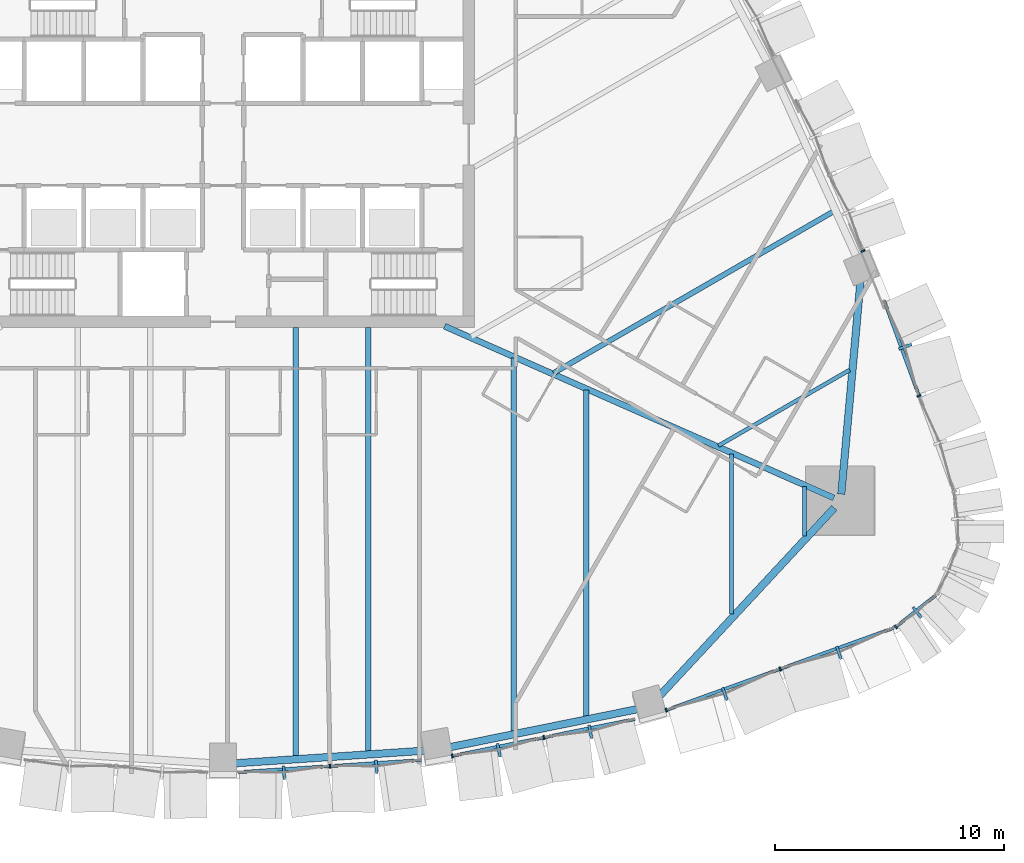
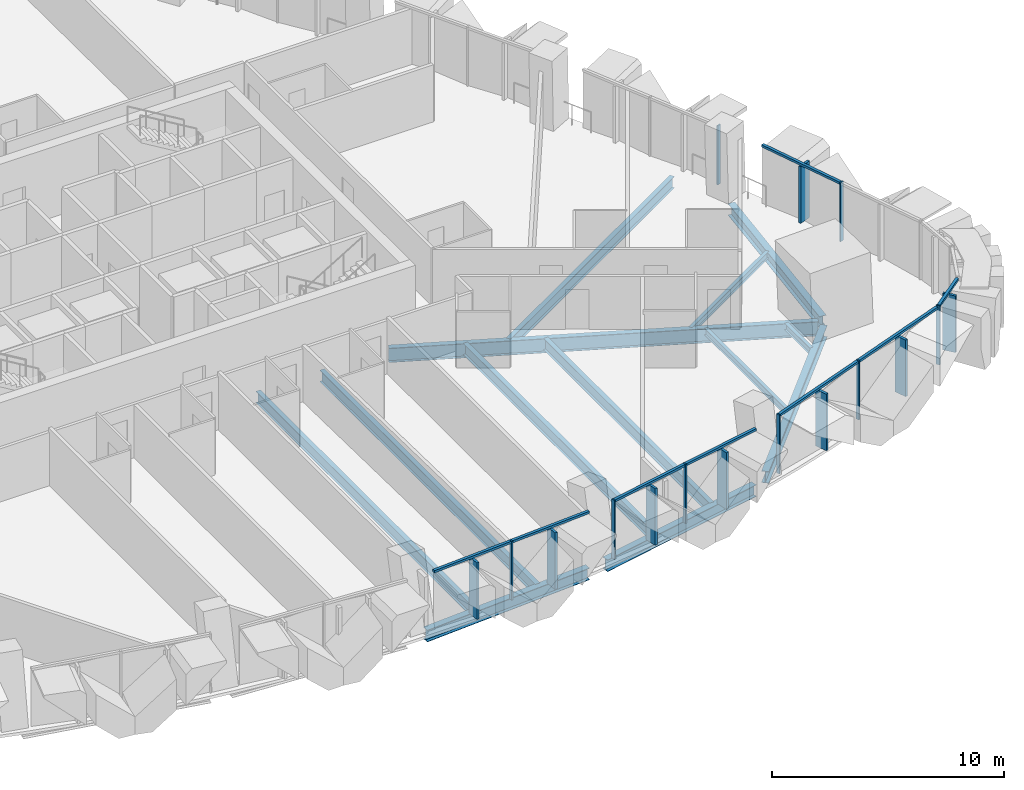
# One storey, part 4 of 24: 24 members, 13 beams, 6 elements without a shape of their own.
"""IFC4 building model written with IfcOpenShell, lengths in metres."""

from ifc_helpers import new_model, si_unit, direction, frame, origin, origin_2d, place, context, subcontext, project, spatial, rectangle, i_section, extrude, material, layer, layer_set, material_profile, profile_set, type_object, element, aggregate, save


model = new_model("IFC4")

# Units and contexts
model_context = context("Model", 3, precision=1e-05, world=origin(), true_north=direction((0.0, 1.0)))
body_context = subcontext(model_context, "Body", "Model", "MODEL_VIEW")
ifc_project = project(units=[si_unit("LENGTHUNIT", "METRE"), si_unit("AREAUNIT", "SQUARE_METRE"), si_unit("VOLUMEUNIT", "CUBIC_METRE"), si_unit("PLANEANGLEUNIT", "RADIAN"), si_unit("MASSUNIT", "GRAM", prefix="KILO")], contexts=[model_context])

# Site, building, storey
site_placement = place(None, origin())
site = spatial("IfcSite", under=ifc_project, at=site_placement, CompositionType="ELEMENT")
building_placement = place(site_placement, origin())
building = spatial("IfcBuilding", under=site, at=building_placement, Name="Sierra Prisma Convention Tower", CompositionType="ELEMENT")
storey_placement = place(building_placement, frame((0.0, 0.0, 55.39990234375)))
storey = spatial("IfcBuildingStorey", under=building, at=storey_placement, Name="L09", CompositionType="ELEMENT", Elevation=55.39990234375)

# Curtain wall, members
ifc_material_1 = material(Name="Aluminium and glass curtain wall", Category="aluminium")
ifc_layer = layer(ifc_material_1, 0.179931640625)
ifc_layer_set = layer_set([ifc_layer], Name="CW-2 Faceted crystal curtain wall")
curtain_wall_type = type_object("IfcCurtainWallType", Name="CW-2 Faceted crystal curtain wall", PredefinedType="NOTDEFINED", material=ifc_layer_set)
curtain_wall_1_placement = place(storey_placement, origin())
curtain_wall_1 = element("IfcCurtainWall", 1, at=curtain_wall_1_placement, inside=storey, type_object=curtain_wall_type, Name="CW-2 S4 L09", PredefinedType="NOTDEFINED")
ifc_material_2 = material(Name="Aluminium 6063-T6 bronze anodised", Category="aluminium")
ifc_material_profile_1 = material_profile(ifc_material_2, rectangle(XDim=0.1201171875, YDim=0.60009765625, at=origin_2d()), Name="ALU RIDGE BLADE 120x600")
ifc_profile_set_1 = profile_set([ifc_material_profile_1], Name="Aluminium 6063-T6 bronze anodised")
member_type_1 = type_object("IfcMemberType", Name="CW hip bronze", PredefinedType="MULLION", material=ifc_profile_set_1)
member_1_placement = place(storey_placement, frame((2.66455078125, -27.485107421875, 0.0), z_axis=(0.0, 0.0, 1.0), x_axis=(0.99781815917, 0.066022126828, 0.0)))
member_1 = element("IfcMember", 2, at=member_1_placement, type_object=member_type_1, Name="CW-2 ridge S4.1", PredefinedType="MULLION", context=body_context, shape_type="SweptSolid", body=[
    extrude(rectangle(XDim=0.1201171875, YDim=0.60009765625, at=origin_2d()), origin(), (0.0, 0.0, 1.0), 2.97998046875),
])
member_2_placement = place(storey_placement, frame((6.705810546875, -27.2177734375, 0.0), z_axis=(0.0, 0.0, 1.0), x_axis=(0.99781815917, 0.066022126828, 0.0)))
member_2 = element("IfcMember", 3, at=member_2_placement, type_object=member_type_1, Name="CW-2 ridge S4.2", PredefinedType="MULLION", context=body_context, shape_type="SweptSolid", body=[
    extrude(rectangle(XDim=0.1201171875, YDim=0.60009765625, at=origin_2d()), origin(), (0.0, 0.0, 1.0), 2.97998046875),
])

curtain_wall_2_placement = place(storey_placement, origin())
curtain_wall_2 = element("IfcCurtainWall", 4, at=curtain_wall_2_placement, inside=storey, type_object=curtain_wall_type, Name="CW-2 S5 L09", PredefinedType="NOTDEFINED")
member_3_placement = place(storey_placement, frame((12.061279296875, -26.5, 0.0), z_axis=(0.0, 0.0, 1.0), x_axis=(0.980244265586, 0.197790747474, 0.0)))
member_3 = element("IfcMember", 5, at=member_3_placement, type_object=member_type_1, Name="CW-2 ridge S5.1", PredefinedType="MULLION", context=body_context, shape_type="SweptSolid", body=[
    extrude(rectangle(XDim=0.1201171875, YDim=0.60009765625, at=origin_2d()), origin(), (0.0, 0.0, 1.0), 2.97998046875),
])
member_4_placement = place(storey_placement, frame((16.0654296875, -25.69189453125, 0.0), z_axis=(0.0, 0.0, 1.0), x_axis=(0.980244265586, 0.197790747474, 0.0)))
member_4 = element("IfcMember", 6, at=member_4_placement, type_object=member_type_1, Name="CW-2 ridge S5.2", PredefinedType="MULLION", context=body_context, shape_type="SweptSolid", body=[
    extrude(rectangle(XDim=0.1201171875, YDim=0.60009765625, at=origin_2d()), origin(), (0.0, 0.0, 1.0), 2.97998046875),
])

curtain_wall_3_placement = place(storey_placement, origin())
curtain_wall_3 = element("IfcCurtainWall", 7, at=curtain_wall_3_placement, inside=storey, type_object=curtain_wall_type, Name="CW-2 S6 L09", PredefinedType="NOTDEFINED")
member_5_placement = place(storey_placement, frame((21.946533203125, -24.0390625, 0.0), z_axis=(0.0, 0.0, 1.0), x_axis=(0.940537753583, 0.339689172751, 0.0)))
member_5 = element("IfcMember", 8, at=member_5_placement, type_object=member_type_1, Name="CW-2 ridge S6.1", PredefinedType="MULLION", context=body_context, shape_type="SweptSolid", body=[
    extrude(rectangle(XDim=0.1201171875, YDim=0.60009765625, at=origin_2d()), origin(), (0.0, 0.0, 1.0), 2.97998046875),
])
member_6_placement = place(storey_placement, frame((26.93701171875, -22.23681640625, 0.0), z_axis=(0.0, 0.0, 1.0), x_axis=(0.940537753583, 0.339689172751, 0.0)))
member_6 = element("IfcMember", 9, at=member_6_placement, type_object=member_type_1, Name="CW-2 ridge S6.2", PredefinedType="MULLION", context=body_context, shape_type="SweptSolid", body=[
    extrude(rectangle(XDim=0.1201171875, YDim=0.60009765625, at=origin_2d()), origin(), (0.0, 0.0, 1.0), 2.97998046875),
])

# Curtain wall, member
curtain_wall_4_placement = place(storey_placement, origin())
curtain_wall_4 = element("IfcCurtainWall", 10, at=curtain_wall_4_placement, inside=storey, type_object=curtain_wall_type, Name="CW-2 SE1 L09", PredefinedType="NOTDEFINED")
member_7_placement = place(storey_placement, frame((30.3623046875, -20.472900390625, 0.0), z_axis=(0.0, 0.0, 1.0), x_axis=(0.783458733533, 0.621443813108, 0.0)))
member_7 = element("IfcMember", 11, at=member_7_placement, type_object=member_type_1, Name="CW-2 ridge SE1.1", PredefinedType="MULLION", context=body_context, shape_type="SweptSolid", body=[
    extrude(rectangle(XDim=0.1201171875, YDim=0.60009765625, at=origin_2d()), origin(), (0.0, 0.0, 1.0), 2.97998046875),
])

curtain_wall_5_placement = place(storey_placement, origin())
curtain_wall_5 = element("IfcCurtainWall", 12, at=curtain_wall_5_placement, inside=storey, type_object=curtain_wall_type, Name="CW-2 NE1 L09", PredefinedType="NOTDEFINED")
member_8_placement = place(storey_placement, frame((29.838134765625, -8.84814453125, 0.0), z_axis=(0.0, 0.0, 1.0), x_axis=(-0.343705619807, 0.939077444577, 0.0)))
member_8 = element("IfcMember", 13, at=member_8_placement, type_object=member_type_1, Name="CW-2 ridge NE1.2", PredefinedType="MULLION", context=body_context, shape_type="SweptSolid", body=[
    extrude(rectangle(XDim=0.1201171875, YDim=0.60009765625, at=origin_2d()), origin(), (0.0, 0.0, 1.0), 2.97998046875),
])

# Member
ifc_material_3 = material(Name="Aluminium 6063-T6 bronze anodised", Category="aluminium")
ifc_material_profile_2 = material_profile(ifc_material_3, rectangle(XDim=0.179931640625, YDim=0.070068359375, at=origin_2d()), Name="ALU MULLION 70x180")
ifc_profile_set_2 = profile_set([ifc_material_profile_2], Name="Aluminium 6063-T6 bronze anodised")
member_type_2 = type_object("IfcMemberType", Name="CW mullion bronze", PredefinedType="MULLION", material=ifc_profile_set_2)
member_9_placement = place(storey_placement, frame((4.6748046875, -27.1953125, 0.0), z_axis=(0.0, 0.0, 1.0), x_axis=(-0.066022126828, 0.99781815917, 0.0)))
member_9 = element("IfcMember", 14, at=member_9_placement, type_object=member_type_2, Name="CW-1 mullion S4.2", PredefinedType="MULLION", context=body_context, shape_type="SweptSolid", body=[
    extrude(rectangle(XDim=0.179931640625, YDim=0.070068359375, at=origin_2d()), origin(), (0.0, 0.0, 1.0), 3.10009765625),
])

member_10_placement = place(storey_placement, frame((10.028076171875, -26.7490234375, 0.0), z_axis=(0.0, 0.0, 1.0), x_axis=(-0.197790747474, 0.980244265586, 0.0)))
member_10 = element("IfcMember", 15, at=member_10_placement, type_object=member_type_2, Name="CW-1 mullion S5.1", PredefinedType="MULLION", context=body_context, shape_type="SweptSolid", body=[
    extrude(rectangle(XDim=0.179931640625, YDim=0.070068359375, at=origin_2d()), origin(), (0.0, 0.0, 1.0), 3.10009765625),
])

member_11_placement = place(storey_placement, frame((14.0322265625, -25.941162109375, 0.0), z_axis=(0.0, 0.0, 1.0), x_axis=(-0.197790747474, 0.980244265586, 0.0)))
member_11 = element("IfcMember", 16, at=member_11_placement, type_object=member_type_2, Name="CW-1 mullion S5.2", PredefinedType="MULLION", context=body_context, shape_type="SweptSolid", body=[
    extrude(rectangle(XDim=0.179931640625, YDim=0.070068359375, at=origin_2d()), origin(), (0.0, 0.0, 1.0), 3.10009765625),
])

member_12_placement = place(storey_placement, frame((19.38134765625, -24.74658203125, 0.0), z_axis=(0.0, 0.0, 1.0), x_axis=(-0.339689172751, 0.940537753583, 0.0)))
member_12 = element("IfcMember", 17, at=member_12_placement, type_object=member_type_2, Name="CW-1 mullion S6.1", PredefinedType="MULLION", context=body_context, shape_type="SweptSolid", body=[
    extrude(rectangle(XDim=0.179931640625, YDim=0.070068359375, at=origin_2d()), origin(), (0.0, 0.0, 1.0), 3.10009765625),
])

member_13_placement = place(storey_placement, frame((24.371826171875, -22.944091796875, 0.0), z_axis=(0.0, 0.0, 1.0), x_axis=(-0.339689172751, 0.940537753583, 0.0)))
member_13 = element("IfcMember", 18, at=member_13_placement, type_object=member_type_2, Name="CW-1 mullion S6.2", PredefinedType="MULLION", context=body_context, shape_type="SweptSolid", body=[
    extrude(rectangle(XDim=0.179931640625, YDim=0.070068359375, at=origin_2d()), origin(), (0.0, 0.0, 1.0), 3.10009765625),
])

member_14_placement = place(storey_placement, frame((29.422607421875, -21.108154296875, 0.0), z_axis=(0.0, 0.0, 1.0), x_axis=(-0.621443813108, 0.783458733533, 0.0)))
member_14 = element("IfcMember", 19, at=member_14_placement, type_object=member_type_2, Name="CW-1 mullion SE1.1", PredefinedType="MULLION", context=body_context, shape_type="SweptSolid", body=[
    extrude(rectangle(XDim=0.179931640625, YDim=0.070068359375, at=origin_2d()), origin(), (0.0, 0.0, 1.0), 3.10009765625),
])

member_15_placement = place(storey_placement, frame((30.442138671875, -11.000732421875, 0.0), z_axis=(0.0, 0.0, 1.0), x_axis=(-0.939077444577, -0.343705619807, 0.0)))
member_15 = element("IfcMember", 20, at=member_15_placement, type_object=member_type_2, Name="CW-1 mullion NE1.2", PredefinedType="MULLION", context=body_context, shape_type="SweptSolid", body=[
    extrude(rectangle(XDim=0.179931640625, YDim=0.070068359375, at=origin_2d()), origin(), (0.0, 0.0, 1.0), 3.10009765625),
])

# Curtain wall, member
curtain_wall_6_placement = place(storey_placement, origin())
curtain_wall_6 = element("IfcCurtainWall", 21, at=curtain_wall_6_placement, inside=storey, type_object=curtain_wall_type, Name="CW-2 NE2 L09", PredefinedType="NOTDEFINED")
member_16_placement = place(storey_placement, frame((27.999267578125, -4.66015625, 0.0), z_axis=(0.0, 0.0, 1.0), x_axis=(-0.913812790198, -0.406135672492, 0.0)))
member_16 = element("IfcMember", 22, at=member_16_placement, type_object=member_type_2, Name="CW-1 mullion NE2.1", PredefinedType="MULLION", context=body_context, shape_type="SweptSolid", body=[
    extrude(rectangle(XDim=0.179931640625, YDim=0.070068359375, at=origin_2d()), origin(), (0.0, 0.0, 1.0), 3.10009765625),
])
aggregate(curtain_wall_6, [member_16])

# Member
ifc_material_4 = material(Name="Aluminium 6063-T6 bronze anodised", Category="aluminium")
ifc_material_profile_3 = material_profile(ifc_material_4, rectangle(XDim=0.139892578125, YDim=0.1201171875, at=origin_2d()), Name="ALU TRANSOM 120x140")
ifc_profile_set_3 = profile_set([ifc_material_profile_3], Name="Aluminium 6063-T6 bronze anodised")
member_type_3 = type_object("IfcMemberType", Name="CW transom bronze", PredefinedType="USERDEFINED", material=ifc_profile_set_3)
member_17_placement = place(storey_placement, frame((0.66845703125, -27.460205078125, 3.0400390625), z_axis=(0.997819493773, 0.06600195336, 0.0), x_axis=(-0.06600195336, 0.997819493773, 0.0)))
member_17 = element("IfcMember", 23, at=member_17_placement, type_object=member_type_3, Name="CW-1 transom S4.1", ObjectType="TRANSOM", PredefinedType="USERDEFINED", context=body_context, shape_type="SweptSolid", body=[
    extrude(rectangle(XDim=0.139892578125, YDim=0.1201171875, at=origin_2d()), origin(), (0.0, 0.0, 1.0), 3.980224609375),
])

member_18_placement = place(storey_placement, frame((4.709716796875, -27.19287109375, 3.0400390625), z_axis=(0.997819493773, 0.06600195336, 0.0), x_axis=(-0.06600195336, 0.997819493773, 0.0)))
member_18 = element("IfcMember", 24, at=member_18_placement, type_object=member_type_3, Name="CW-1 transom S4.2", ObjectType="TRANSOM", PredefinedType="USERDEFINED", context=body_context, shape_type="SweptSolid", body=[
    extrude(rectangle(XDim=0.139892578125, YDim=0.1201171875, at=origin_2d()), origin(), (0.0, 0.0, 1.0), 3.980224609375),
])

aggregate(curtain_wall_1, [member_9, member_17, member_1, member_18, member_2])

member_19_placement = place(storey_placement, frame((10.062255859375, -26.7421875, 3.0400390625), z_axis=(0.980240082862, 0.197811475779, 0.0), x_axis=(-0.197811475779, 0.980240082862, 0.0)))
member_19 = element("IfcMember", 25, at=member_19_placement, type_object=member_type_3, Name="CW-1 transom S5.1", ObjectType="TRANSOM", PredefinedType="USERDEFINED", context=body_context, shape_type="SweptSolid", body=[
    extrude(rectangle(XDim=0.139892578125, YDim=0.1201171875, at=origin_2d()), origin(), (0.0, 0.0, 1.0), 4.014892578125),
])

member_20_placement = place(storey_placement, frame((14.06640625, -25.93408203125, 3.0400390625), z_axis=(0.980251872282, 0.197753045202, 0.0), x_axis=(-0.197753045202, 0.980251872282, 0.0)))
member_20 = element("IfcMember", 26, at=member_20_placement, type_object=member_type_3, Name="CW-1 transom S5.2", ObjectType="TRANSOM", PredefinedType="USERDEFINED", context=body_context, shape_type="SweptSolid", body=[
    extrude(rectangle(XDim=0.139892578125, YDim=0.1201171875, at=origin_2d()), origin(), (0.0, 0.0, 1.0), 4.014892578125),
])

aggregate(curtain_wall_2, [member_10, member_11, member_19, member_3, member_20, member_4])

member_21_placement = place(storey_placement, frame((19.414306640625, -24.734619140625, 3.0400390625), z_axis=(0.94053858939, 0.339686858545, 0.0), x_axis=(-0.339686858545, 0.94053858939, 0.0)))
member_21 = element("IfcMember", 27, at=member_21_placement, type_object=member_type_3, Name="CW-1 transom S6.1", ObjectType="TRANSOM", PredefinedType="USERDEFINED", context=body_context, shape_type="SweptSolid", body=[
    extrude(rectangle(XDim=0.139892578125, YDim=0.1201171875, at=origin_2d()), origin(), (0.0, 0.0, 1.0), 5.23583984375),
])

member_22_placement = place(storey_placement, frame((24.40478515625, -22.932373046875, 3.0400390625), z_axis=(0.94053858939, 0.339686858545, 0.0), x_axis=(-0.339686858545, 0.94053858939, 0.0)))
member_22 = element("IfcMember", 28, at=member_22_placement, type_object=member_type_3, Name="CW-1 transom S6.2", ObjectType="TRANSOM", PredefinedType="USERDEFINED", context=body_context, shape_type="SweptSolid", body=[
    extrude(rectangle(XDim=0.139892578125, YDim=0.1201171875, at=origin_2d()), origin(), (0.0, 0.0, 1.0), 5.23583984375),
])

aggregate(curtain_wall_3, [member_12, member_13, member_21, member_5, member_22, member_6])

member_23_placement = place(storey_placement, frame((29.4501953125, -21.08642578125, 3.0400390625), z_axis=(0.783394802371, 0.621524403075, 0.0), x_axis=(-0.621524403075, 0.783394802371, 0.0)))
member_23 = element("IfcMember", 29, at=member_23_placement, type_object=member_type_3, Name="CW-1 transom SE1.1", ObjectType="TRANSOM", PredefinedType="USERDEFINED", context=body_context, shape_type="SweptSolid", body=[
    extrude(rectangle(XDim=0.139892578125, YDim=0.1201171875, at=origin_2d()), origin(), (0.0, 0.0, 1.0), 2.19140625),
])

aggregate(curtain_wall_4, [member_14, member_23, member_7])

member_24_placement = place(storey_placement, frame((30.43017578125, -10.968017578125, 3.0400390625), z_axis=(-0.343698806748, 0.939079938152, 0.0), x_axis=(-0.939079938152, -0.343698806748, 0.0)))
member_24 = element("IfcMember", 30, at=member_24_placement, type_object=member_type_3, Name="CW-1 transom NE1.2", ObjectType="TRANSOM", PredefinedType="USERDEFINED", context=body_context, shape_type="SweptSolid", body=[
    extrude(rectangle(XDim=0.139892578125, YDim=0.1201171875, at=origin_2d()), origin(), (0.0, 0.0, 1.0), 4.388427734375),
])

aggregate(curtain_wall_5, [member_15, member_24, member_8])

# Beams
ifc_material_5 = material(Name="Steel ASTM A992 Gr 50", Category="steel")
ifc_material_profile_4 = material_profile(ifc_material_5, i_section(OverallWidth=0.172119140625, OverallDepth=0.35791015625, WebThickness=0.0078125, FlangeThickness=0.01318359375, at=origin_2d()), Name="W360x57")
ifc_profile_set_4 = profile_set([ifc_material_profile_4], Name="Steel ASTM A992 Gr 50")
beam_type_1 = type_object("IfcBeamType", Name="Floor joist W360x57", PredefinedType="JOIST", material=ifc_profile_set_4)
beam_1_placement = place(storey_placement, frame((22.247802734375, -20.54052734375, -0.328857421875), z_axis=(0.0, 1.0, 0.0), x_axis=(-1.0, 0.0, 0.0)))
element("IfcBeam", 31, at=beam_1_placement, inside=storey, type_object=beam_type_1, Name="Floor joist L09 S16", PredefinedType="JOIST", context=body_context, shape_type="SweptSolid", body=[
    extrude(i_section(OverallWidth=0.172119140625, OverallDepth=0.35791015625, WebThickness=0.0078125, FlangeThickness=0.01318359375, at=origin_2d()), origin(), (0.0, 0.0, 1.0), 6.9892578125),
])
beam_2_placement = place(storey_placement, frame((25.42626953125, -17.119140625, -0.328857421875), z_axis=(0.0, 1.0, 0.0), x_axis=(-1.0, 0.0, 0.0)))
element("IfcBeam", 32, at=beam_2_placement, inside=storey, type_object=beam_type_1, Name="Floor joist L09 S17", PredefinedType="JOIST", context=body_context, shape_type="SweptSolid", body=[
    extrude(i_section(OverallWidth=0.172119140625, OverallDepth=0.35791015625, WebThickness=0.0078125, FlangeThickness=0.01318359375, at=origin_2d()), origin(), (0.0, 0.0, 1.0), 2.165283203125),
])
beam_3_placement = place(storey_placement, frame((27.409912109375, -9.864501953125, -0.328857421875), z_axis=(-0.86601142976, -0.500024202939, 0.0), x_axis=(0.500024202939, -0.86601142976, 0.0)))
element("IfcBeam", 33, at=beam_3_placement, inside=storey, type_object=beam_type_1, Name="Floor joist L09 NE02", PredefinedType="JOIST", context=body_context, shape_type="SweptSolid", body=[
    extrude(i_section(OverallWidth=0.172119140625, OverallDepth=0.35791015625, WebThickness=0.0078125, FlangeThickness=0.01318359375, at=origin_2d()), origin(), (0.0, 0.0, 1.0), 6.630126953125),
])
ifc_material_6 = material(Name="Steel ASTM A992 Gr 50", Category="steel")
ifc_material_profile_5 = material_profile(ifc_material_6, i_section(OverallWidth=0.22802734375, OverallDepth=0.60302734375, WebThickness=0.010498046875, FlangeThickness=0.014892578125, at=origin_2d()), Name="W610x101")
ifc_profile_set_5 = profile_set([ifc_material_profile_5], Name="Steel ASTM A992 Gr 50")
beam_type_2 = type_object("IfcBeamType", Name="Floor joist W610x101", PredefinedType="JOIST", material=ifc_profile_set_5)
beam_4_placement = place(storey_placement, frame((3.17822265625, -26.7802734375, -0.451416015625), z_axis=(0.0, 1.0, 0.0), x_axis=(-1.0, 0.0, 0.0)))
element("IfcBeam", 34, at=beam_4_placement, inside=storey, type_object=beam_type_2, Name="Floor joist L09 S10", PredefinedType="JOIST", context=body_context, shape_type="SweptSolid", body=[
    extrude(i_section(OverallWidth=0.22802734375, OverallDepth=0.60302734375, WebThickness=0.010498046875, FlangeThickness=0.014892578125, at=origin_2d()), origin(), (0.0, 0.0, 1.0), 18.7802734375),
])
beam_5_placement = place(storey_placement, frame((6.3564453125, -26.56884765625, -0.451416015625), z_axis=(0.0, 1.0, 0.0), x_axis=(-1.0, 0.0, 0.0)))
element("IfcBeam", 35, at=beam_5_placement, inside=storey, type_object=beam_type_2, Name="Floor joist L09 S11", PredefinedType="JOIST", context=body_context, shape_type="SweptSolid", body=[
    extrude(i_section(OverallWidth=0.22802734375, OverallDepth=0.60302734375, WebThickness=0.010498046875, FlangeThickness=0.014892578125, at=origin_2d()), origin(), (0.0, 0.0, 1.0), 18.56884765625),
])
beam_6_placement = place(storey_placement, frame((12.713134765625, -25.683837890625, -0.451416015625), z_axis=(0.0, 1.0, 0.0), x_axis=(-1.0, 0.0, 0.0)))
element("IfcBeam", 36, at=beam_6_placement, inside=storey, type_object=beam_type_2, Name="Floor joist L09 S13", PredefinedType="JOIST", context=body_context, shape_type="SweptSolid", body=[
    extrude(i_section(OverallWidth=0.22802734375, OverallDepth=0.60302734375, WebThickness=0.010498046875, FlangeThickness=0.014892578125, at=origin_2d()), origin(), (0.0, 0.0, 1.0), 16.34033203125),
])
beam_7_placement = place(storey_placement, frame((15.891357421875, -25.038818359375, -0.451416015625), z_axis=(0.0, 1.0, 0.0), x_axis=(-1.0, 0.0, 0.0)))
element("IfcBeam", 37, at=beam_7_placement, inside=storey, type_object=beam_type_2, Name="Floor joist L09 S14", PredefinedType="JOIST", context=body_context, shape_type="SweptSolid", body=[
    extrude(i_section(OverallWidth=0.22802734375, OverallDepth=0.60302734375, WebThickness=0.010498046875, FlangeThickness=0.014892578125, at=origin_2d()), origin(), (0.0, 0.0, 1.0), 14.292724609375),
])
beam_8_placement = place(storey_placement, frame((26.6884765625, -2.941162109375, -0.451416015625), z_axis=(-0.866025174864, -0.500000396502, 0.0), x_axis=(0.500000396502, -0.866025174864, 0.0)))
element("IfcBeam", 38, at=beam_8_placement, inside=storey, type_object=beam_type_2, Name="Floor joist L09 NE04", PredefinedType="JOIST", context=body_context, shape_type="SweptSolid", body=[
    extrude(i_section(OverallWidth=0.22802734375, OverallDepth=0.60302734375, WebThickness=0.010498046875, FlangeThickness=0.014892578125, at=origin_2d()), origin(), (0.0, 0.0, 1.0), 14.1171875),
])
ifc_material_7 = material(Name="Steel ASTM A992 Gr 50", Category="steel")
ifc_material_profile_6 = material_profile(ifc_material_7, i_section(OverallWidth=0.264892578125, OverallDepth=0.7529296875, WebThickness=0.01318359375, FlangeThickness=0.01708984375, at=origin_2d()), Name="W760x147")
ifc_profile_set_6 = profile_set([ifc_material_profile_6], Name="Steel ASTM A992 Gr 50")
beam_type_3 = type_object("IfcBeamType", Name="Radial girder W760x147", PredefinedType="BEAM", material=ifc_profile_set_6)
beam_9_placement = place(storey_placement, frame((26.71533203125, -15.46484375, -0.5263671875), z_axis=(-0.914876329789, 0.403734196213, 0.0), x_axis=(-0.403734196213, -0.914876329789, 0.0)))
element("IfcBeam", 39, at=beam_9_placement, inside=storey, type_object=beam_type_3, Name="Radial girder L09 SE", PredefinedType="BEAM", context=body_context, shape_type="SweptSolid", body=[
    extrude(i_section(OverallWidth=0.264892578125, OverallDepth=0.7529296875, WebThickness=0.01318359375, FlangeThickness=0.01708984375, at=origin_2d()), origin(), (0.0, 0.0, 1.0), 18.609130859375),
])
ifc_material_8 = material(Name="Steel ASTM A992 Gr 50", Category="steel")
ifc_material_profile_7 = material_profile(ifc_material_8, i_section(OverallWidth=0.324951171875, OverallDepth=0.615966796875, WebThickness=0.013916015625, FlangeThickness=0.021484375, at=origin_2d()), Name="W610x174")
ifc_profile_set_7 = profile_set([ifc_material_profile_7], Name="Steel ASTM A992 Gr 50")
beam_type_4 = type_object("IfcBeamType", Name="Spandrel beam W610x174", PredefinedType="BEAM", material=ifc_profile_set_7)
beam_10_placement = place(storey_placement, frame((0.480224609375, -27.07275390625, -0.4580078125), z_axis=(0.99779247547, 0.066409155212, 0.0), x_axis=(-0.066409155212, 0.99779247547, 0.0)))
element("IfcBeam", 40, at=beam_10_placement, inside=storey, type_object=beam_type_4, Name="Spandrel L09-04", PredefinedType="BEAM", context=body_context, shape_type="SweptSolid", body=[
    extrude(i_section(OverallWidth=0.324951171875, OverallDepth=0.615966796875, WebThickness=0.013916015625, FlangeThickness=0.021484375, at=origin_2d()), origin(), (0.0, 0.0, 1.0), 8.40771484375),
])
beam_11_placement = place(storey_placement, frame((9.821533203125, -26.38671875, -0.4580078125), z_axis=(0.980015642485, 0.198920437574, 0.0), x_axis=(-0.198920437574, 0.980015642485, 0.0)))
element("IfcBeam", 41, at=beam_11_placement, inside=storey, type_object=beam_type_4, Name="Spandrel L09-05", PredefinedType="BEAM", context=body_context, shape_type="SweptSolid", body=[
    extrude(i_section(OverallWidth=0.324951171875, OverallDepth=0.615966796875, WebThickness=0.013916015625, FlangeThickness=0.021484375, at=origin_2d()), origin(), (0.0, 0.0, 1.0), 8.5361328125),
])
beam_12_placement = place(storey_placement, frame((19.057373046875, -24.163818359375, -0.4580078125), z_axis=(0.680597156204, 0.732657840309, 0.0), x_axis=(-0.732657840309, 0.680597156204, 0.0)))
element("IfcBeam", 42, at=beam_12_placement, inside=storey, type_object=beam_type_4, Name="Spandrel L09-06", PredefinedType="BEAM", context=body_context, shape_type="SweptSolid", body=[
    extrude(i_section(OverallWidth=0.324951171875, OverallDepth=0.615966796875, WebThickness=0.013916015625, FlangeThickness=0.021484375, at=origin_2d()), origin(), (0.0, 0.0, 1.0), 11.282958984375),
])
beam_13_placement = place(storey_placement, frame((27.042236328125, -15.29736328125, -0.4580078125), z_axis=(0.089759797056, 0.995963442518, 0.0), x_axis=(-0.995963442518, 0.089759797056, 0.0)))
element("IfcBeam", 43, at=beam_13_placement, inside=storey, type_object=beam_type_4, Name="Spandrel L09-07", PredefinedType="BEAM", context=body_context, shape_type="SweptSolid", body=[
    extrude(i_section(OverallWidth=0.324951171875, OverallDepth=0.615966796875, WebThickness=0.013916015625, FlangeThickness=0.021484375, at=origin_2d()), origin(), (0.0, 0.0, 1.0), 9.362060546875),
])

save(model, "model.ifc")
